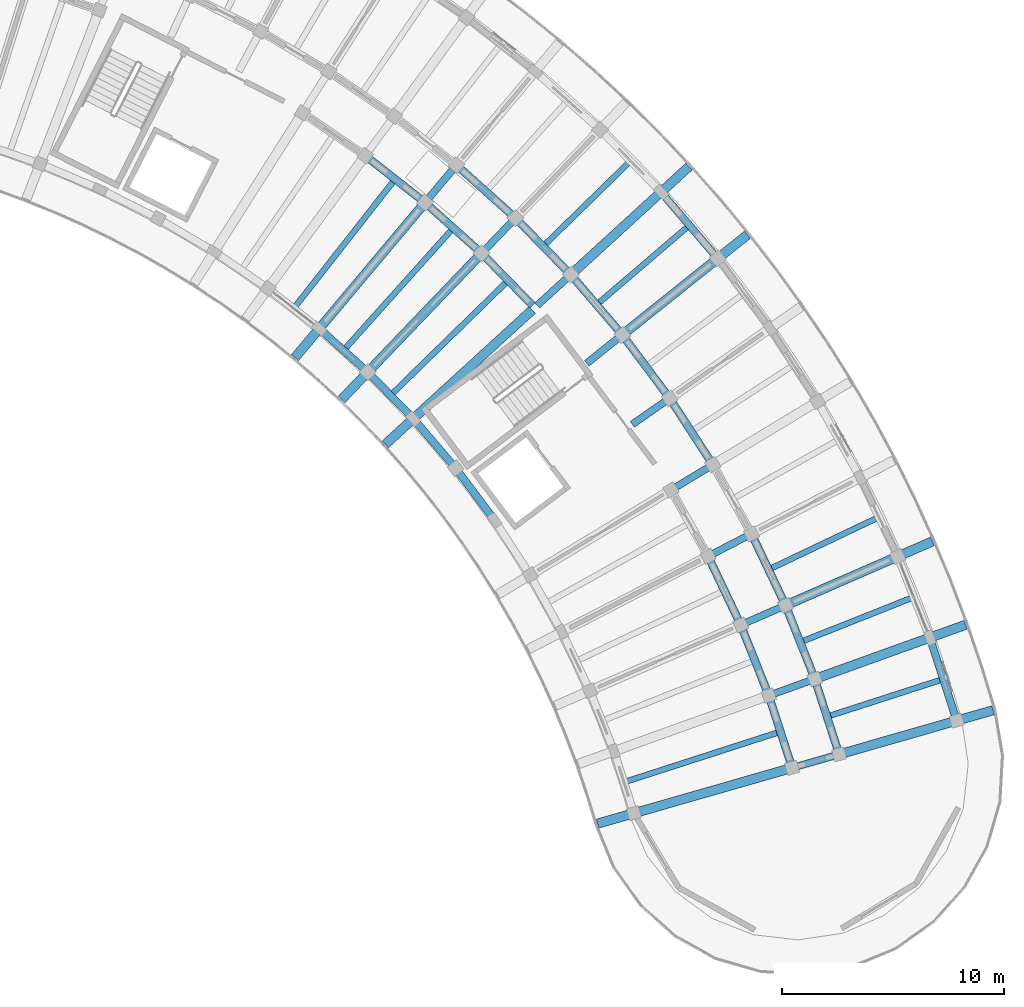
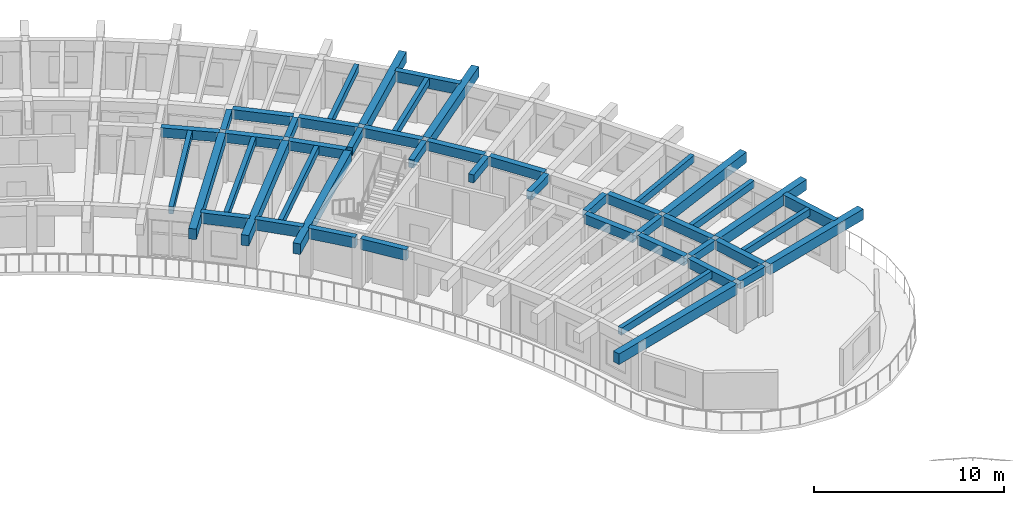
# One storey, part 26 of 81: 48 beams.
"""IFC4 building model written with IfcOpenShell, lengths in metres."""

from ifc_helpers import new_model, si_unit, direction, frame, origin, origin_2d, place, context, subcontext, project, spatial, rectangle, extrude, material, material_profile, profile_set, type_object, element, save


model = new_model("IFC4")

# Units and contexts
model_context = context("Model", 3, precision=1e-05, world=origin(), true_north=direction((0.0, 1.0)))
body_context = subcontext(model_context, "Body", "Model", "MODEL_VIEW")
ifc_project = project(units=[si_unit("LENGTHUNIT", "METRE"), si_unit("AREAUNIT", "SQUARE_METRE"), si_unit("VOLUMEUNIT", "CUBIC_METRE"), si_unit("PLANEANGLEUNIT", "RADIAN"), si_unit("MASSUNIT", "GRAM", prefix="KILO")], contexts=[model_context])

# Site, building, storey
site_placement = place(None, origin())
site = spatial("IfcSite", under=ifc_project, at=site_placement, CompositionType="ELEMENT")
building_placement = place(site_placement, origin())
building = spatial("IfcBuilding", under=site, at=building_placement, Name="Tanwirah Colonnade Gardens", CompositionType="ELEMENT")
storey_placement = place(building_placement, frame((0.0, 0.0, 18.919921875)))
storey = spatial("IfcBuildingStorey", under=building, at=storey_placement, Name="L05", CompositionType="ELEMENT", Elevation=18.919921875)

# Beams
ifc_material_1 = material(Name="Precast concrete C40/50", Category="concrete")
ifc_material_profile_1 = material_profile(ifc_material_1, rectangle(XDim=0.320068359375, YDim=0.52001953125, at=origin_2d()), Name="PC-BM 320x520")
ifc_profile_set_1 = profile_set([ifc_material_profile_1], Name="Precast concrete C40/50")
beam_type_1 = type_object("IfcBeamType", Name="BM-PC320", PredefinedType="BEAM", material=ifc_profile_set_1)
for number, where, z_axis, x_axis, name in (
    (1, (170.985595703125, 74.533203125, 2.85009765625), (0.961266538157, 0.275620468433, 0.0), (-0.275620468433, 0.961266538157, 0.0), "Block B L05 Corridor Tie Beam 0"),
    (2, (169.9326171875, 77.79541015625, 2.85009765625), (0.941021664552, 0.338346311999, 0.0), (-0.338346311999, 0.941021664552, 0.0), "Block B L05 Corridor Tie Beam 1"),
    (3, (168.6669921875, 80.981201171875, 2.85009765625), (0.916681481826, 0.399618644306, 0.0), (-0.399618644306, 0.916681481826, 0.0), "Block B L05 Corridor Tie Beam 2"),
):
    element("IfcBeam", number, at=place(storey_placement, frame(where, z_axis=z_axis, x_axis=x_axis)), inside=storey, type_object=beam_type_1, Name=name, PredefinedType="BEAM", context=body_context, shape_type="SweptSolid", body=[
        extrude(rectangle(XDim=0.320068359375, YDim=0.52001953125, at=origin_2d()), origin(), (0.0, 0.0, 1.0), 1.89990234375),
    ])
beam_1_placement = place(storey_placement, frame((167.194091796875, 84.07666015625, 2.85009765625), z_axis=(0.888385730697, 0.459097803844, 0.0), x_axis=(-0.459097803844, 0.888385730697, 0.0)))
element("IfcBeam", 4, at=beam_1_placement, inside=storey, type_object=beam_type_1, Name="Block B L05 Corridor Tie Beam 3", PredefinedType="BEAM", context=body_context, shape_type="SweptSolid", body=[
    extrude(rectangle(XDim=0.320068359375, YDim=0.52001953125, at=origin_2d()), origin(), (0.0, 0.0, 1.0), 1.900146484375),
])
for number, where, z_axis, x_axis, name in (
    (5, (165.520751953125, 87.068359375, 2.85009765625), (0.856174920318, 0.516686080534, 0.0), (-0.516686080534, 0.856174920318, 0.0), "Block B L05 Corridor Tie Beam 4"),
    (6, (163.653564453125, 89.943359375, 2.85009765625), (0.820305001782, 0.571926309983, 0.0), (-0.571926309983, 0.820305001782, 0.0), "Block B L05 Corridor Tie Beam 5"),
    (7, (161.601318359375, 92.68896484375, 2.85009765625), (0.78073089418, 0.624867402633, 0.0), (-0.624867402633, 0.78073089418, 0.0), "Block B L05 Corridor Tie Beam 6"),
    (8, (159.37255859375, 95.29345703125, 2.85009765625), (0.737948361517, 0.674857181732, 0.0), (-0.674857181732, 0.737948361517, 0.0), "Block B L05 Corridor Tie Beam 7"),
):
    element("IfcBeam", number, at=place(storey_placement, frame(where, z_axis=z_axis, x_axis=x_axis)), inside=storey, type_object=beam_type_1, Name=name, PredefinedType="BEAM", context=body_context, shape_type="SweptSolid", body=[
        extrude(rectangle(XDim=0.320068359375, YDim=0.52001953125, at=origin_2d()), origin(), (0.0, 0.0, 1.0), 1.89990234375),
    ])
beam_2_placement = place(storey_placement, frame((156.976806640625, 97.74560546875, 2.85009765625), z_axis=(0.691913735329, 0.721980181766, 0.0), x_axis=(-0.721980181766, 0.691913735329, 0.0)))
element("IfcBeam", 9, at=beam_2_placement, inside=storey, type_object=beam_type_1, Name="Block B L05 Corridor Tie Beam 8", PredefinedType="BEAM", context=body_context, shape_type="SweptSolid", body=[
    extrude(rectangle(XDim=0.320068359375, YDim=0.52001953125, at=origin_2d()), origin(), (0.0, 0.0, 1.0), 1.900146484375),
])
beam_3_placement = place(storey_placement, frame((154.425048828125, 100.034423828125, 2.85009765625), z_axis=(0.642797194343, 0.766036400535, 0.0), x_axis=(-0.766036400535, 0.642797194343, 0.0)))
element("IfcBeam", 10, at=beam_3_placement, inside=storey, type_object=beam_type_1, Name="Block B L05 Corridor Tie Beam 9", PredefinedType="BEAM", context=body_context, shape_type="SweptSolid", body=[
    extrude(rectangle(XDim=0.320068359375, YDim=0.52001953125, at=origin_2d()), origin(), (0.0, 0.0, 1.0), 1.89990234375),
])
ifc_material_profile_2 = material_profile(ifc_material_1, rectangle(XDim=0.35009765625, YDim=0.60009765625, at=origin_2d()), Name="PC-BM 350x600")
ifc_profile_set_2 = profile_set([ifc_material_profile_2], Name="Precast concrete C40/50")
beam_type_2 = type_object("IfcBeamType", Name="BM-PC350B", PredefinedType="BEAM", material=ifc_profile_set_2)
beam_4_placement = place(storey_placement, frame((170.79541015625, 74.634521484375, 2.81005859375), z_axis=(-0.307169780148, 0.951654730542, 0.0), x_axis=(-0.951654730542, -0.307169780148, 0.0)))
element("IfcBeam", 11, at=beam_4_placement, inside=storey, type_object=beam_type_2, Name="Block B L05 Circumferential Beam 0-R1", PredefinedType="BEAM", context=body_context, shape_type="SweptSolid", body=[
    extrude(rectangle(XDim=0.35009765625, YDim=0.60009765625, at=origin_2d()), origin(), (0.0, 0.0, 1.0), 3.117919921875),
])
beam_5_placement = place(storey_placement, frame((172.91015625, 75.240966796875, 2.81005859375), z_axis=(-0.307212636327, 0.9516408966, 0.0), x_axis=(-0.9516408966, -0.307212636327, 0.0)))
element("IfcBeam", 12, at=beam_5_placement, inside=storey, type_object=beam_type_2, Name="Block B L05 Circumferential Beam 0-R2", PredefinedType="BEAM", context=body_context, shape_type="SweptSolid", body=[
    extrude(rectangle(XDim=0.35009765625, YDim=0.60009765625, at=origin_2d()), origin(), (0.0, 0.0, 1.0), 3.262939453125),
])
beam_6_placement = place(storey_placement, frame((169.736083984375, 77.884033203125, 2.81005859375), z_axis=(-0.369189105832, 0.929354294193, 0.0), x_axis=(-0.929354294193, -0.369189105832, 0.0)))
element("IfcBeam", 13, at=beam_6_placement, inside=storey, type_object=beam_type_2, Name="Block B L05 Circumferential Beam 1-R1", PredefinedType="BEAM", context=body_context, shape_type="SweptSolid", body=[
    extrude(rectangle(XDim=0.35009765625, YDim=0.60009765625, at=origin_2d()), origin(), (0.0, 0.0, 1.0), 3.117919921875),
])
beam_7_placement = place(storey_placement, frame((171.806396484375, 78.62841796875, 2.81005859375), z_axis=(-0.369209712056, 0.929346108037, 0.0), x_axis=(-0.929346108037, -0.369209712056, 0.0)))
element("IfcBeam", 14, at=beam_7_placement, inside=storey, type_object=beam_type_2, Name="Block B L05 Circumferential Beam 1-R2", PredefinedType="BEAM", context=body_context, shape_type="SweptSolid", body=[
    extrude(rectangle(XDim=0.35009765625, YDim=0.60009765625, at=origin_2d()), origin(), (0.0, 0.0, 1.0), 3.26318359375),
])
beam_8_placement = place(storey_placement, frame((168.465087890625, 81.056640625, 2.81005859375), z_axis=(-0.429620507728, 0.903009534468, 0.0), x_axis=(-0.903009534468, -0.429620507728, 0.0)))
element("IfcBeam", 15, at=beam_8_placement, inside=storey, type_object=beam_type_2, Name="Block B L05 Circumferential Beam 2-R1", PredefinedType="BEAM", context=body_context, shape_type="SweptSolid", body=[
    extrude(rectangle(XDim=0.35009765625, YDim=0.60009765625, at=origin_2d()), origin(), (0.0, 0.0, 1.0), 3.1181640625),
])
beam_9_placement = place(storey_placement, frame((170.481689453125, 81.935791015625, 2.81005859375), z_axis=(-0.4295908638, 0.90302363742, 0.0), x_axis=(-0.90302363742, -0.4295908638, 0.0)))
element("IfcBeam", 16, at=beam_9_placement, inside=storey, type_object=beam_type_2, Name="Block B L05 Circumferential Beam 2-R2", PredefinedType="BEAM", context=body_context, shape_type="SweptSolid", body=[
    extrude(rectangle(XDim=0.35009765625, YDim=0.60009765625, at=origin_2d()), origin(), (0.0, 0.0, 1.0), 3.26318359375),
])
for number, where, z_axis, x_axis, name in (
    (17, (167.194091796875, 88.25341796875, 2.81005859375), (-0.544627998385, 0.838677735114, 0.0), (-0.838677735114, -0.544627998385, 0.0), "Block B L05 Circumferential Beam 4-R2"),
    (18, (165.245361328125, 91.236083984375, 2.81005859375), (-0.59871829396, 0.800959677186, 0.0), (-0.800959677186, -0.59871829396, 0.0), "Block B L05 Circumferential Beam 5-R2"),
):
    element("IfcBeam", number, at=place(storey_placement, frame(where, z_axis=z_axis, x_axis=x_axis)), inside=storey, type_object=beam_type_2, Name=name, PredefinedType="BEAM", context=body_context, shape_type="SweptSolid", body=[
        extrude(rectangle(XDim=0.35009765625, YDim=0.60009765625, at=origin_2d()), origin(), (0.0, 0.0, 1.0), 3.262939453125),
    ])
beam_10_placement = place(storey_placement, frame((163.1044921875, 94.083740234375, 2.81005859375), z_axis=(-0.650218192342, 0.759747525398, 0.0), x_axis=(-0.759747525398, -0.650218192342, 0.0)))
element("IfcBeam", 19, at=beam_10_placement, inside=storey, type_object=beam_type_2, Name="Block B L05 Circumferential Beam 6-R2", PredefinedType="BEAM", context=body_context, shape_type="SweptSolid", body=[
    extrude(rectangle(XDim=0.35009765625, YDim=0.60009765625, at=origin_2d()), origin(), (0.0, 0.0, 1.0), 3.26318359375),
])
beam_11_placement = place(storey_placement, frame((159.156982421875, 95.299560546875, 2.81005859375), z_axis=(-0.698837366631, 0.715280598787, 0.0), x_axis=(-0.715280598787, -0.698837366631, 0.0)))
element("IfcBeam", 20, at=beam_11_placement, inside=storey, type_object=beam_type_2, Name="Block B L05 Circumferential Beam 7-R1", PredefinedType="BEAM", context=body_context, shape_type="SweptSolid", body=[
    extrude(rectangle(XDim=0.35009765625, YDim=0.60009765625, at=origin_2d()), origin(), (0.0, 0.0, 1.0), 3.117919921875),
])
beam_12_placement = place(storey_placement, frame((160.780517578125, 96.7841796875, 2.81005859375), z_axis=(-0.698829447339, 0.71528833594, 0.0), x_axis=(-0.71528833594, -0.698829447339, 0.0)))
element("IfcBeam", 21, at=beam_12_placement, inside=storey, type_object=beam_type_2, Name="Block B L05 Circumferential Beam 7-R2", PredefinedType="BEAM", context=body_context, shape_type="SweptSolid", body=[
    extrude(rectangle(XDim=0.35009765625, YDim=0.60009765625, at=origin_2d()), origin(), (0.0, 0.0, 1.0), 3.263427734375),
])
beam_13_placement = place(storey_placement, frame((156.761474609375, 97.7373046875, 2.81005859375), z_axis=(-0.744429866059, 0.667700662363, 0.0), x_axis=(-0.667700662363, -0.744429866059, 0.0)))
element("IfcBeam", 22, at=beam_13_placement, inside=storey, type_object=beam_type_2, Name="Block B L05 Circumferential Beam 8-R1", PredefinedType="BEAM", context=body_context, shape_type="SweptSolid", body=[
    extrude(rectangle(XDim=0.35009765625, YDim=0.60009765625, at=origin_2d()), origin(), (0.0, 0.0, 1.0), 3.1181640625),
])
beam_14_placement = place(storey_placement, frame((158.283447265625, 99.32568359375, 2.81005859375), z_axis=(-0.744409136578, 0.667723773262, 0.0), x_axis=(-0.667723773262, -0.744409136578, 0.0)))
element("IfcBeam", 23, at=beam_14_placement, inside=storey, type_object=beam_type_2, Name="Block B L05 Circumferential Beam 8-R2", PredefinedType="BEAM", context=body_context, shape_type="SweptSolid", body=[
    extrude(rectangle(XDim=0.35009765625, YDim=0.60009765625, at=origin_2d()), origin(), (0.0, 0.0, 1.0), 3.26318359375),
])
beam_15_placement = place(storey_placement, frame((154.21044921875, 100.011962890625, 2.81005859375), z_axis=(-0.78679899272, 0.617209320292, 0.0), x_axis=(-0.617209320292, -0.78679899272, 0.0)))
element("IfcBeam", 24, at=beam_15_placement, inside=storey, type_object=beam_type_2, Name="Block B L05 Circumferential Beam 9-R1", PredefinedType="BEAM", context=body_context, shape_type="SweptSolid", body=[
    extrude(rectangle(XDim=0.35009765625, YDim=0.60009765625, at=origin_2d()), origin(), (0.0, 0.0, 1.0), 3.1181640625),
])
ifc_material_2 = material(Name="Precast concrete C45/55", Category="concrete")
ifc_material_profile_3 = material_profile(ifc_material_2, rectangle(XDim=0.419921875, YDim=0.679931640625, at=origin_2d()), Name="PC-BM 420x680")
ifc_profile_set_3 = profile_set([ifc_material_profile_3], Name="Precast concrete C45/55")
beam_type_3 = type_object("IfcBeamType", Name="BM-PC420", PredefinedType="BEAM", material=ifc_profile_set_3)
beam_16_placement = place(storey_placement, frame((170.697265625, 74.450439453125, 2.77001953125), z_axis=(-0.961258954076, -0.275646917646, 0.0), x_axis=(0.275646917646, -0.961258954076, 0.0)))
element("IfcBeam", 25, at=beam_16_placement, inside=storey, type_object=beam_type_3, Name="Block B L05 Inner Radial Precast Girder 0", PredefinedType="BEAM", context=body_context, shape_type="SweptSolid", body=[
    extrude(rectangle(XDim=0.419921875, YDim=0.679931640625, at=origin_2d()), origin(), (0.0, 0.0, 1.0), 8.949951171875),
])
for number, where, z_axis, x_axis, name in (
    (26, (173.100341796875, 75.1396484375, 2.77001953125), (0.961266085595, 0.275622046806, 0.0), (-0.275622046806, 0.961266085595, 0.0), "Block B L05 Outer Radial Precast Girder 0"),
    (27, (172.0029296875, 78.539794921875, 2.77001953125), (0.941011841171, 0.338373631917, 0.0), (-0.338373631917, 0.941011841171, 0.0), "Block B L05 Outer Radial Precast Girder 1"),
):
    element("IfcBeam", number, at=place(storey_placement, frame(where, z_axis=z_axis, x_axis=x_axis)), inside=storey, type_object=beam_type_3, Name=name, PredefinedType="BEAM", context=body_context, shape_type="SweptSolid", body=[
        extrude(rectangle(XDim=0.419921875, YDim=0.679931640625, at=origin_2d()), origin(), (0.0, 0.0, 1.0), 7.0498046875),
    ])
for number, where, z_axis, x_axis, name in (
    (28, (170.68359375, 81.8603515625, 2.77001953125), (0.916678725612, 0.399624966702, 0.0), (-0.399624966702, 0.916678725612, 0.0), "Block B L05 Outer Radial Precast Girder 2"),
    (29, (163.319091796875, 94.0634765625, 2.77001953125), (0.780794476885, 0.624787951921, 0.0), (-0.624787951921, 0.780794476885, 0.0), "Block B L05 Outer Radial Precast Girder 6"),
):
    element("IfcBeam", number, at=place(storey_placement, frame(where, z_axis=z_axis, x_axis=x_axis)), inside=storey, type_object=beam_type_3, Name=name, PredefinedType="BEAM", context=body_context, shape_type="SweptSolid", body=[
        extrude(rectangle(XDim=0.419921875, YDim=0.679931640625, at=origin_2d()), origin(), (0.0, 0.0, 1.0), 7.050048828125),
    ])
beam_17_placement = place(storey_placement, frame((159.151123046875, 95.091064453125, 2.77001953125), z_axis=(-0.737937205818, -0.674869380154, 0.0), x_axis=(0.674869380154, -0.737937205818, 0.0)))
element("IfcBeam", 30, at=beam_17_placement, inside=storey, type_object=beam_type_3, Name="Block B L05 Inner Radial Precast Girder 7", PredefinedType="BEAM", context=body_context, shape_type="SweptSolid", body=[
    extrude(rectangle(XDim=0.419921875, YDim=0.679931640625, at=origin_2d()), origin(), (0.0, 0.0, 1.0), 8.949951171875),
])
beam_18_placement = place(storey_placement, frame((160.995849609375, 96.7783203125, 2.77001953125), z_axis=(0.737934199263, 0.674872667663, 0.0), x_axis=(-0.674872667663, 0.737934199263, 0.0)))
element("IfcBeam", 31, at=beam_18_placement, inside=storey, type_object=beam_type_3, Name="Block B L05 Outer Radial Precast Girder 7", PredefinedType="BEAM", context=body_context, shape_type="SweptSolid", body=[
    extrude(rectangle(XDim=0.419921875, YDim=0.679931640625, at=origin_2d()), origin(), (0.0, 0.0, 1.0), 7.050048828125),
])
for number, where, z_axis, x_axis, name in (
    (32, (156.769287109375, 97.52880859375, 2.77001953125), (-0.691860926595, -0.722030787606, 0.0), (0.722030787606, -0.691860926595, 0.0), "Block B L05 Inner Radial Precast Girder 8"),
    (33, (154.232177734375, 99.804443359375, 2.77001953125), (-0.64279407932, -0.766039014406, 0.0), (0.766039014406, -0.64279407932, 0.0), "Block B L05 Inner Radial Precast Girder 9"),
):
    element("IfcBeam", number, at=place(storey_placement, frame(where, z_axis=z_axis, x_axis=x_axis)), inside=storey, type_object=beam_type_3, Name=name, PredefinedType="BEAM", context=body_context, shape_type="SweptSolid", body=[
        extrude(rectangle(XDim=0.419921875, YDim=0.679931640625, at=origin_2d()), origin(), (0.0, 0.0, 1.0), 8.949951171875),
    ])
ifc_material_profile_4 = material_profile(ifc_material_1, rectangle(XDim=0.260009765625, YDim=0.4599609375, at=origin_2d()), Name="PC-JST 260x460")
ifc_profile_set_4 = profile_set([ifc_material_profile_4], Name="Precast concrete C40/50")
beam_type_4 = type_object("IfcBeamType", Name="JST-PC260", PredefinedType="JOIST", material=ifc_profile_set_4)
beam_19_placement = place(storey_placement, frame((172.551025390625, 76.839599609375, 2.880126953125), z_axis=(0.951656985441, 0.307162794072, 0.0), x_axis=(-0.307162794072, 0.951656985441, 0.0)))
element("IfcBeam", 34, at=beam_19_placement, inside=storey, type_object=beam_type_4, Name="Block B L05 Precast Floor Joist 0", PredefinedType="JOIST", context=body_context, shape_type="SweptSolid", body=[
    extrude(rectangle(XDim=0.260009765625, YDim=0.4599609375, at=origin_2d()), origin(), (0.0, 0.0, 1.0), 5.26025390625),
])
beam_20_placement = place(storey_placement, frame((163.415283203125, 73.890625, 2.880126953125), z_axis=(0.951647858625, 0.307191069489, 0.0), x_axis=(-0.307191069489, 0.951647858625, 0.0)))
element("IfcBeam", 35, at=beam_20_placement, inside=storey, type_object=beam_type_4, Name="Block B L05 Inner Precast Floor Joist 0", PredefinedType="JOIST", context=body_context, shape_type="SweptSolid", body=[
    extrude(rectangle(XDim=0.260009765625, YDim=0.4599609375, at=origin_2d()), origin(), (0.0, 0.0, 1.0), 7.159912109375),
])
beam_21_placement = place(storey_placement, frame((171.3427734375, 80.199951171875, 2.880126953125), z_axis=(0.929357539836, 0.369180935517, 0.0), x_axis=(-0.369180935517, 0.929357539836, 0.0)))
element("IfcBeam", 36, at=beam_21_placement, inside=storey, type_object=beam_type_4, Name="Block B L05 Precast Floor Joist 1", PredefinedType="JOIST", context=body_context, shape_type="SweptSolid", body=[
    extrude(rectangle(XDim=0.260009765625, YDim=0.4599609375, at=origin_2d()), origin(), (0.0, 0.0, 1.0), 5.260009765625),
])
for number, where, z_axis, x_axis, name in (
    (37, (169.91552734375, 83.473388671875, 2.880126953125), (0.903018314862, 0.429602051931, 0.0), (-0.429602051931, 0.903018314862, 0.0), "Block B L05 Precast Floor Joist 2"),
    (38, (162.156982421875, 95.42041015625, 2.880126953125), (0.759770723643, 0.65019108537, 0.0), (-0.65019108537, 0.759770723643, 0.0), "Block B L05 Precast Floor Joist 6"),
):
    element("IfcBeam", number, at=place(storey_placement, frame(where, z_axis=z_axis, x_axis=x_axis)), inside=storey, type_object=beam_type_4, Name=name, PredefinedType="JOIST", context=body_context, shape_type="SweptSolid", body=[
        extrude(rectangle(XDim=0.260009765625, YDim=0.4599609375, at=origin_2d()), origin(), (0.0, 0.0, 1.0), 5.26025390625),
    ])
beam_22_placement = place(storey_placement, frame((159.7470703125, 98.0556640625, 2.880126953125), z_axis=(0.715297399369, 0.698820170327, 0.0), x_axis=(-0.698820170327, 0.715297399369, 0.0)))
element("IfcBeam", 39, at=beam_22_placement, inside=storey, type_object=beam_type_4, Name="Block B L05 Precast Floor Joist 7", PredefinedType="JOIST", context=body_context, shape_type="SweptSolid", body=[
    extrude(rectangle(XDim=0.260009765625, YDim=0.4599609375, at=origin_2d()), origin(), (0.0, 0.0, 1.0), 5.260009765625),
])
beam_23_placement = place(storey_placement, frame((152.88037109375, 91.346923828125, 2.880126953125), z_axis=(0.715276680509, 0.698841377081, 0.0), x_axis=(-0.698841377081, 0.715276680509, 0.0)))
element("IfcBeam", 40, at=beam_23_placement, inside=storey, type_object=beam_type_4, Name="Block B L05 Inner Precast Floor Joist 7", PredefinedType="JOIST", context=body_context, shape_type="SweptSolid", body=[
    extrude(rectangle(XDim=0.260009765625, YDim=0.4599609375, at=origin_2d()), origin(), (0.0, 0.0, 1.0), 7.159912109375),
])
beam_24_placement = place(storey_placement, frame((150.7587890625, 93.379638671875, 2.880126953125), z_axis=(0.667688404274, 0.744440860511, 0.0), x_axis=(-0.744440860511, 0.667688404274, 0.0)))
element("IfcBeam", 41, at=beam_24_placement, inside=storey, type_object=beam_type_4, Name="Block B L05 Inner Precast Floor Joist 8", PredefinedType="JOIST", context=body_context, shape_type="SweptSolid", body=[
    extrude(rectangle(XDim=0.260009765625, YDim=0.4599609375, at=origin_2d()), origin(), (0.0, 0.0, 1.0), 7.16015625),
])
beam_25_placement = place(storey_placement, frame((148.508056640625, 95.268310546875, 2.880126953125), z_axis=(0.617202438917, 0.786804390808, 0.0), x_axis=(-0.786804390808, 0.617202438917, 0.0)))
element("IfcBeam", 42, at=beam_25_placement, inside=storey, type_object=beam_type_4, Name="Block B L05 Inner Precast Floor Joist 9", PredefinedType="JOIST", context=body_context, shape_type="SweptSolid", body=[
    extrude(rectangle(XDim=0.260009765625, YDim=0.4599609375, at=origin_2d()), origin(), (0.0, 0.0, 1.0), 7.159912109375),
])
ifc_material_profile_5 = material_profile(ifc_material_1, rectangle(XDim=0.3349609375, YDim=0.695068359375, at=origin_2d()), Name="PC-SP 335x695")
ifc_profile_set_5 = profile_set([ifc_material_profile_5], Name="Precast concrete C40/50")
beam_type_5 = type_object("IfcBeamType", Name="SP-PC300", PredefinedType="SPANDREL", material=ifc_profile_set_5)
beam_26_placement = place(storey_placement, frame((178.197021484375, 76.7568359375, 2.7626953125), z_axis=(-0.307183773768, 0.951650213647, 0.0), x_axis=(-0.951650213647, -0.307183773768, 0.0)))
element("IfcBeam", 43, at=beam_26_placement, inside=storey, type_object=beam_type_5, Name="Block B L05 Circumferential Beam 0-R3", PredefinedType="SPANDREL", context=body_context, shape_type="SweptSolid", body=[
    extrude(rectangle(XDim=0.3349609375, YDim=0.695068359375, at=origin_2d()), origin(), (0.0, 0.0, 1.0), 3.625732421875),
])
beam_27_placement = place(storey_placement, frame((157.370849609375, 85.744873046875, 2.7626953125), z_axis=(-0.598662613551, 0.80100129534, 0.0), x_axis=(-0.80100129534, -0.598662613551, 0.0)))
element("IfcBeam", 44, at=beam_27_placement, inside=storey, type_object=beam_type_5, Name="Block B L05 Circumferential Beam 5-R0", PredefinedType="SPANDREL", context=body_context, shape_type="SweptSolid", body=[
    extrude(rectangle(XDim=0.3349609375, YDim=0.695068359375, at=origin_2d()), origin(), (0.0, 0.0, 1.0), 2.63037109375),
])
beam_28_placement = place(storey_placement, frame((155.60888671875, 88.0859375, 2.7626953125), z_axis=(-0.650217875778, 0.759747796323, 0.0), x_axis=(-0.759747796323, -0.650217875778, 0.0)))
element("IfcBeam", 45, at=beam_28_placement, inside=storey, type_object=beam_type_5, Name="Block B L05 Circumferential Beam 6-R0", PredefinedType="SPANDREL", context=body_context, shape_type="SweptSolid", body=[
    extrude(rectangle(XDim=0.3349609375, YDim=0.695068359375, at=origin_2d()), origin(), (0.0, 0.0, 1.0), 2.630126953125),
])
beam_29_placement = place(storey_placement, frame((167.398681640625, 97.52001953125, 2.7626953125), z_axis=(-0.650170105297, 0.759788677317, 0.0), x_axis=(-0.759788677317, -0.650170105297, 0.0)))
element("IfcBeam", 46, at=beam_29_placement, inside=storey, type_object=beam_type_5, Name="Block B L05 Circumferential Beam 6-R3", PredefinedType="SPANDREL", context=body_context, shape_type="SweptSolid", body=[
    extrude(rectangle(XDim=0.3349609375, YDim=0.695068359375, at=origin_2d()), origin(), (0.0, 0.0, 1.0), 3.625732421875),
])
beam_30_placement = place(storey_placement, frame((153.6962890625, 90.305419921875, 2.7626953125), z_axis=(-0.698844462704, 0.715273665772, 0.0), x_axis=(-0.715273665772, -0.698844462704, 0.0)))
element("IfcBeam", 47, at=beam_30_placement, inside=storey, type_object=beam_type_5, Name="Block B L05 Circumferential Beam 7-R0", PredefinedType="SPANDREL", context=body_context, shape_type="SweptSolid", body=[
    extrude(rectangle(XDim=0.3349609375, YDim=0.695068359375, at=origin_2d()), origin(), (0.0, 0.0, 1.0), 2.630126953125),
])
beam_31_placement = place(storey_placement, frame((151.6416015625, 92.394287109375, 2.7626953125), z_axis=(-0.744400790288, 0.667733077972, 0.0), x_axis=(-0.667733077972, -0.744400790288, 0.0)))
element("IfcBeam", 48, at=beam_31_placement, inside=storey, type_object=beam_type_5, Name="Block B L05 Circumferential Beam 8-R0", PredefinedType="SPANDREL", context=body_context, shape_type="SweptSolid", body=[
    extrude(rectangle(XDim=0.3349609375, YDim=0.695068359375, at=origin_2d()), origin(), (0.0, 0.0, 1.0), 2.63037109375),
])

save(model, "model.ifc")
